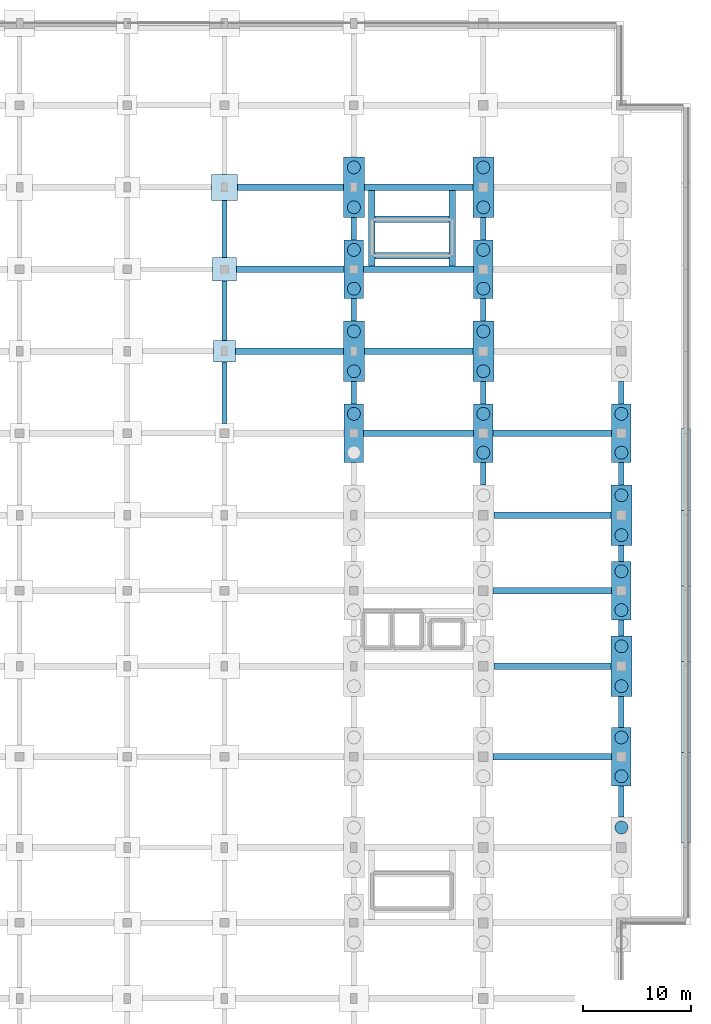
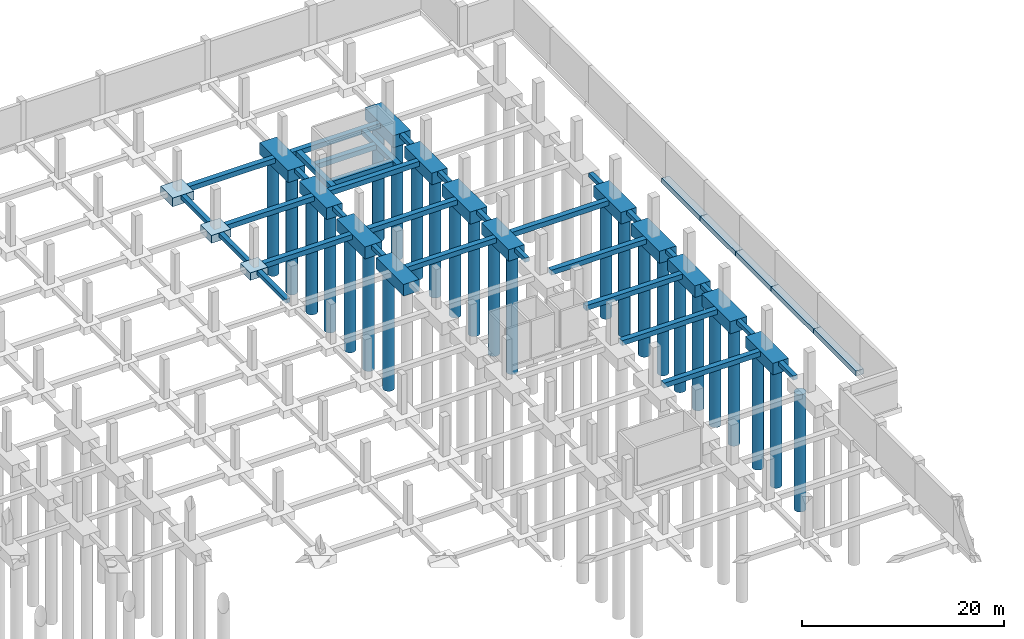
# One storey, part 23 of 50: 53 footings, 26 piles.
"""IFC4 building model written with IfcOpenShell, lengths in metres."""

from ifc_helpers import new_model, si_unit, direction, frame, origin, origin_2d, place, context, subcontext, project, spatial, polyline, rectangle, circle, outline, extrude, material, material_profile, profile_set, type_object, element, save


model = new_model("IFC4")

# Units and contexts
model_context = context("Model", 3, precision=1e-05, world=origin(), true_north=direction((0.0, 1.0)))
body_context = subcontext(model_context, "Body", "Model", "MODEL_VIEW")
ifc_project = project(units=[si_unit("LENGTHUNIT", "METRE"), si_unit("AREAUNIT", "SQUARE_METRE"), si_unit("VOLUMEUNIT", "CUBIC_METRE"), si_unit("PLANEANGLEUNIT", "RADIAN"), si_unit("MASSUNIT", "GRAM", prefix="KILO")], contexts=[model_context])

# Site, building, storey
site_placement = place(None, origin())
site = spatial("IfcSite", under=ifc_project, at=site_placement, CompositionType="ELEMENT")
building_placement = place(site_placement, origin())
building = spatial("IfcBuilding", under=site, at=building_placement, Name="Vekula Escarpment Museum", CompositionType="ELEMENT")
storey_placement = place(building_placement, frame((0.0, 0.0, -4.800048828125)))
storey = spatial("IfcBuildingStorey", under=building, at=storey_placement, Name="B1", CompositionType="ELEMENT", Elevation=-4.800048828125)

# Footings
ifc_material_1 = material(Name="Concrete C35/45", Category="concrete")
footing_type_1 = type_object("IfcFootingType", Name="FB-STRIP-600", PredefinedType="STRIP_FOOTING", material=ifc_material_1)
footing_1_placement = place(storey_placement, frame((0.0, 0.0, -0.599853515625)))
element("IfcFooting", 1, at=footing_1_placement, inside=storey, type_object=footing_type_1, Name="Plinth Wall Strip Footing 0093", PredefinedType="STRIP_FOOTING", context=body_context, shape_type="SweptSolid", body=[
    extrude(outline(polyline([(197.35498046875, 68.419921875), (198.195068359375, 68.419921875), (198.195068359375, 60.02392578125), (197.35498046875, 60.02392578125), (197.35498046875, 68.419921875)])), origin(), (0.0, 0.0, 1.0), 0.599853515625),
])
footing_2_placement = place(storey_placement, frame((0.0, 0.0, -0.599853515625)))
element("IfcFooting", 2, at=footing_2_placement, inside=storey, type_object=footing_type_1, Name="Plinth Wall Strip Footing 0094", PredefinedType="STRIP_FOOTING", context=body_context, shape_type="SweptSolid", body=[
    extrude(outline(polyline([(197.35498046875, 76.820068359375), (198.195068359375, 76.820068359375), (198.195068359375, 68.424072265625), (197.35498046875, 68.424072265625), (197.35498046875, 76.820068359375)])), origin(), (0.0, 0.0, 1.0), 0.599853515625),
])
footing_3_placement = place(storey_placement, frame((0.0, 0.0, -0.599853515625)))
element("IfcFooting", 3, at=footing_3_placement, inside=storey, type_object=footing_type_1, Name="Plinth Wall Strip Footing 0095", PredefinedType="STRIP_FOOTING", context=body_context, shape_type="SweptSolid", body=[
    extrude(outline(polyline([(197.35498046875, 83.820068359375), (198.195068359375, 83.820068359375), (198.195068359375, 76.823974609375), (197.35498046875, 76.823974609375), (197.35498046875, 83.820068359375)])), origin(), (0.0, 0.0, 1.0), 0.599853515625),
])
footing_4_placement = place(storey_placement, frame((0.0, 0.0, -0.599853515625)))
element("IfcFooting", 4, at=footing_4_placement, inside=storey, type_object=footing_type_1, Name="Plinth Wall Strip Footing 0096", PredefinedType="STRIP_FOOTING", context=body_context, shape_type="SweptSolid", body=[
    extrude(outline(polyline([(197.35498046875, 90.820068359375), (198.195068359375, 90.820068359375), (198.195068359375, 83.823974609375), (197.35498046875, 83.823974609375), (197.35498046875, 90.820068359375)])), origin(), (0.0, 0.0, 1.0), 0.599853515625),
])
footing_5_placement = place(storey_placement, frame((0.0, 0.0, -0.599853515625)))
element("IfcFooting", 5, at=footing_5_placement, inside=storey, type_object=footing_type_1, Name="Plinth Wall Strip Footing 0097", PredefinedType="STRIP_FOOTING", context=body_context, shape_type="SweptSolid", body=[
    extrude(outline(polyline([(197.35498046875, 98.419921875), (198.195068359375, 98.419921875), (198.195068359375, 90.823974609375), (197.35498046875, 90.823974609375), (197.35498046875, 98.419921875)])), origin(), (0.0, 0.0, 1.0), 0.599853515625),
])
footing_6_placement = place(storey_placement, frame((0.0, 0.0, -0.599853515625)))
element("IfcFooting", 6, at=footing_6_placement, inside=storey, type_object=footing_type_1, Name="Stair Core Strip Footing ST-05 W", PredefinedType="STRIP_FOOTING", context=body_context, shape_type="SweptSolid", body=[
    extrude(outline(polyline([(168.97509765625, 113.50390625), (168.375, 113.50390625), (168.375, 120.49609375), (168.97509765625, 120.49609375), (168.97509765625, 113.50390625)])), origin(), (0.0, 0.0, 1.0), 0.599853515625),
])
footing_7_placement = place(storey_placement, frame((0.0, 0.0, -0.599853515625)))
element("IfcFooting", 7, at=footing_7_placement, inside=storey, type_object=footing_type_1, Name="Stair Core Strip Footing ST-05 E", PredefinedType="STRIP_FOOTING", context=body_context, shape_type="SweptSolid", body=[
    extrude(outline(polyline([(176.425048828125, 113.50390625), (175.824951171875, 113.50390625), (175.824951171875, 120.49609375), (176.425048828125, 120.49609375), (176.425048828125, 113.50390625)])), origin(), (0.0, 0.0, 1.0), 0.599853515625),
])
footing_8_placement = place(storey_placement, frame((0.0, 0.0, -0.599853515625)))
element("IfcFooting", 8, at=footing_8_placement, inside=storey, type_object=footing_type_1, Name="Stair Core Strip Footing ST-05 S", PredefinedType="STRIP_FOOTING", context=body_context, shape_type="SweptSolid", body=[
    extrude(outline(polyline([(168.97900390625, 114.175048828125), (168.97900390625, 114.77490234375), (175.821044921875, 114.77490234375), (175.821044921875, 114.175048828125), (168.97900390625, 114.175048828125)])), origin(), (0.0, 0.0, 1.0), 0.599853515625),
])
footing_9_placement = place(storey_placement, frame((0.0, 0.0, -0.599853515625)))
element("IfcFooting", 9, at=footing_9_placement, inside=storey, type_object=footing_type_1, Name="Stair Core Strip Footing ST-05 N", PredefinedType="STRIP_FOOTING", context=body_context, shape_type="SweptSolid", body=[
    extrude(outline(polyline([(168.97900390625, 117.52490234375), (168.97900390625, 118.125), (175.821044921875, 118.125), (175.821044921875, 117.52490234375), (168.97900390625, 117.52490234375)])), origin(), (0.0, 0.0, 1.0), 0.599853515625),
])
ifc_material_2 = material(Name="Concrete C35/45", Category="concrete")
ifc_material_profile_1 = material_profile(ifc_material_2, rectangle(XDim=0.5, YDim=0.5, at=origin_2d()), Name="RC 500x500")
ifc_profile_set_1 = profile_set([ifc_material_profile_1], Name="Concrete C35/45")
footing_type_2 = type_object("IfcFootingType", Name="FB-TIE-500x500", PredefinedType="FOOTING_BEAM", material=ifc_profile_set_1)
footing_10_placement = place(storey_placement, frame((155.0, 98.89990234375, -0.25), z_axis=(0.0, 1.0, 0.0), x_axis=(-1.0, 0.0, 0.0)))
element("IfcFooting", 10, at=footing_10_placement, inside=storey, type_object=footing_type_2, Name="Foundation Tie Beam 734", PredefinedType="FOOTING_BEAM", context=body_context, shape_type="SweptSolid", body=[
    extrude(rectangle(XDim=0.5, YDim=0.5, at=origin_2d()), origin(), (0.0, 0.0, 1.0), 5.7001953125),
])
footing_11_placement = place(storey_placement, frame((155.0, 106.60009765625, -0.25), z_axis=(0.0, 1.0, 0.0), x_axis=(-1.0, 0.0, 0.0)))
element("IfcFooting", 11, at=footing_11_placement, inside=storey, type_object=footing_type_2, Name="Foundation Tie Beam 735", PredefinedType="FOOTING_BEAM", context=body_context, shape_type="SweptSolid", body=[
    extrude(rectangle(XDim=0.5, YDim=0.5, at=origin_2d()), origin(), (0.0, 0.0, 1.0), 5.5),
])
footing_12_placement = place(storey_placement, frame((155.0, 114.300048828125, -0.25), z_axis=(0.0, 1.0, 0.0), x_axis=(-1.0, 0.0, 0.0)))
element("IfcFooting", 12, at=footing_12_placement, inside=storey, type_object=footing_type_2, Name="Foundation Tie Beam 736", PredefinedType="FOOTING_BEAM", context=body_context, shape_type="SweptSolid", body=[
    extrude(rectangle(XDim=0.5, YDim=0.5, at=origin_2d()), origin(), (0.0, 0.0, 1.0), 5.300048828125),
])
for number, where, z_axis, x_axis, name in (
    (13, (167.0, 100.699951171875, -0.25), (0.0, 1.0, 0.0), (-1.0, 0.0, 0.0), "Foundation Tie Beam 753"),
    (14, (167.0, 108.39990234375, -0.25), (0.0, 1.0, 0.0), (-1.0, 0.0, 0.0), "Foundation Tie Beam 754"),
    (15, (167.0, 115.89990234375, -0.25), (0.0, 1.0, 0.0), (-1.0, 0.0, 0.0), "Foundation Tie Beam 755"),
    (16, (179.0, 93.199951171875, -0.25), (0.0, 1.0, 0.0), (-1.0, 0.0, 0.0), "Foundation Tie Beam 771"),
    (17, (179.0, 100.699951171875, -0.25), (0.0, 1.0, 0.0), (-1.0, 0.0, 0.0), "Foundation Tie Beam 772"),
    (18, (179.0, 108.39990234375, -0.25), (0.0, 1.0, 0.0), (-1.0, 0.0, 0.0), "Foundation Tie Beam 773"),
    (19, (179.0, 115.89990234375, -0.25), (0.0, 1.0, 0.0), (-1.0, 0.0, 0.0), "Foundation Tie Beam 774"),
):
    element("IfcFooting", number, at=place(storey_placement, frame(where, z_axis=z_axis, x_axis=x_axis)), inside=storey, type_object=footing_type_2, Name=name, PredefinedType="FOOTING_BEAM", context=body_context, shape_type="SweptSolid", body=[
        extrude(rectangle(XDim=0.5, YDim=0.5, at=origin_2d()), origin(), (0.0, 0.0, 1.0), 2.10009765625),
    ])
for number, where, z_axis, x_axis, name in (
    (20, (191.800048828125, 62.39990234375, -0.25), (0.0, 1.0, 0.0), (-1.0, 0.0, 0.0), "Foundation Tie Beam 786"),
    (21, (191.800048828125, 70.699951171875, -0.25), (0.0, 1.0, 0.0), (-1.0, 0.0, 0.0), "Foundation Tie Beam 787"),
):
    element("IfcFooting", number, at=place(storey_placement, frame(where, z_axis=z_axis, x_axis=x_axis)), inside=storey, type_object=footing_type_2, Name=name, PredefinedType="FOOTING_BEAM", context=body_context, shape_type="SweptSolid", body=[
        extrude(rectangle(XDim=0.5, YDim=0.5, at=origin_2d()), origin(), (0.0, 0.0, 1.0), 2.900146484375),
    ])
for number, where, z_axis, x_axis, name in (
    (22, (191.800048828125, 79.199951171875, -0.25), (0.0, 1.0, 0.0), (-1.0, 0.0, 0.0), "Foundation Tie Beam 788"),
    (23, (191.800048828125, 86.10009765625, -0.25), (0.0, 1.0, 0.0), (-1.0, 0.0, 0.0), "Foundation Tie Beam 789"),
):
    element("IfcFooting", number, at=place(storey_placement, frame(where, z_axis=z_axis, x_axis=x_axis)), inside=storey, type_object=footing_type_2, Name=name, PredefinedType="FOOTING_BEAM", context=body_context, shape_type="SweptSolid", body=[
        extrude(rectangle(XDim=0.5, YDim=0.5, at=origin_2d()), origin(), (0.0, 0.0, 1.0), 1.5),
    ])
for number, where, z_axis, x_axis, name in (
    (24, (191.800048828125, 93.199951171875, -0.25), (0.0, 1.0, 0.0), (-1.0, 0.0, 0.0), "Foundation Tie Beam 790"),
    (25, (191.800048828125, 100.699951171875, -0.25), (0.0, 1.0, 0.0), (-1.0, 0.0, 0.0), "Foundation Tie Beam 791"),
):
    element("IfcFooting", number, at=place(storey_placement, frame(where, z_axis=z_axis, x_axis=x_axis)), inside=storey, type_object=footing_type_2, Name=name, PredefinedType="FOOTING_BEAM", context=body_context, shape_type="SweptSolid", body=[
        extrude(rectangle(XDim=0.5, YDim=0.5, at=origin_2d()), origin(), (0.0, 0.0, 1.0), 2.10009765625),
    ])
ifc_material_3 = material(Name="Concrete C35/45", Category="concrete")
ifc_material_profile_2 = material_profile(ifc_material_3, rectangle(XDim=0.60009765625, YDim=0.60009765625, at=origin_2d()), Name="RC 600x600")
ifc_profile_set_2 = profile_set([ifc_material_profile_2], Name="Concrete C35/45")
footing_type_3 = type_object("IfcFootingType", Name="FB-TIE-600x600", PredefinedType="FOOTING_BEAM", material=ifc_profile_set_2)
footing_13_placement = place(storey_placement, frame((179.89990234375, 68.0, -0.300048828125), z_axis=(1.0, 0.0, 0.0), x_axis=(0.0, 1.0, 0.0)))
element("IfcFooting", 26, at=footing_13_placement, inside=storey, type_object=footing_type_3, Name="Foundation Tie Beam 209", PredefinedType="FOOTING_BEAM", context=body_context, shape_type="SweptSolid", body=[
    extrude(rectangle(XDim=0.60009765625, YDim=0.60009765625, at=origin_2d()), origin(), (0.0, 0.0, 1.0), 11.0),
])
footing_14_placement = place(storey_placement, frame((179.97509765625, 76.39990234375, -0.300048828125), z_axis=(1.0, 0.0, 0.0), x_axis=(0.0, 1.0, 0.0)))
element("IfcFooting", 27, at=footing_14_placement, inside=storey, type_object=footing_type_3, Name="Foundation Tie Beam 232", PredefinedType="FOOTING_BEAM", context=body_context, shape_type="SweptSolid", body=[
    extrude(rectangle(XDim=0.60009765625, YDim=0.60009765625, at=origin_2d()), origin(), (0.0, 0.0, 1.0), 10.849853515625),
])
footing_15_placement = place(storey_placement, frame((179.89990234375, 83.39990234375, -0.300048828125), z_axis=(1.0, 0.0, 0.0), x_axis=(0.0, 1.0, 0.0)))
element("IfcFooting", 28, at=footing_15_placement, inside=storey, type_object=footing_type_3, Name="Foundation Tie Beam 255", PredefinedType="FOOTING_BEAM", context=body_context, shape_type="SweptSolid", body=[
    extrude(rectangle(XDim=0.60009765625, YDim=0.60009765625, at=origin_2d()), origin(), (0.0, 0.0, 1.0), 11.0),
])
footing_16_placement = place(storey_placement, frame((179.97509765625, 90.39990234375, -0.300048828125), z_axis=(1.0, 0.0, 0.0), x_axis=(0.0, 1.0, 0.0)))
element("IfcFooting", 29, at=footing_16_placement, inside=storey, type_object=footing_type_3, Name="Foundation Tie Beam 274", PredefinedType="FOOTING_BEAM", context=body_context, shape_type="SweptSolid", body=[
    extrude(rectangle(XDim=0.60009765625, YDim=0.60009765625, at=origin_2d()), origin(), (0.0, 0.0, 1.0), 10.849853515625),
])
footing_17_placement = place(storey_placement, frame((167.89990234375, 98.0, -0.300048828125), z_axis=(1.0, 0.0, 0.0), x_axis=(0.0, 1.0, 0.0)))
element("IfcFooting", 30, at=footing_17_placement, inside=storey, type_object=footing_type_3, Name="Foundation Tie Beam 289", PredefinedType="FOOTING_BEAM", context=body_context, shape_type="SweptSolid", body=[
    extrude(rectangle(XDim=0.60009765625, YDim=0.60009765625, at=origin_2d()), origin(), (0.0, 0.0, 1.0), 10.2001953125),
])
footing_18_placement = place(storey_placement, frame((179.89990234375, 98.0, -0.300048828125), z_axis=(1.0, 0.0, 0.0), x_axis=(0.0, 1.0, 0.0)))
element("IfcFooting", 31, at=footing_18_placement, inside=storey, type_object=footing_type_3, Name="Foundation Tie Beam 290", PredefinedType="FOOTING_BEAM", context=body_context, shape_type="SweptSolid", body=[
    extrude(rectangle(XDim=0.60009765625, YDim=0.60009765625, at=origin_2d()), origin(), (0.0, 0.0, 1.0), 11.0),
])
footing_19_placement = place(storey_placement, frame((156.0, 105.60009765625, -0.300048828125), z_axis=(1.0, 0.0, 0.0), x_axis=(0.0, 1.0, 0.0)))
element("IfcFooting", 32, at=footing_19_placement, inside=storey, type_object=footing_type_3, Name="Foundation Tie Beam 308", PredefinedType="FOOTING_BEAM", context=body_context, shape_type="SweptSolid", body=[
    extrude(rectangle(XDim=0.60009765625, YDim=0.60009765625, at=origin_2d()), origin(), (0.0, 0.0, 1.0), 10.02490234375),
])
footing_20_placement = place(storey_placement, frame((167.97509765625, 105.60009765625, -0.300048828125), z_axis=(1.0, 0.0, 0.0), x_axis=(0.0, 1.0, 0.0)))
element("IfcFooting", 33, at=footing_20_placement, inside=storey, type_object=footing_type_3, Name="Foundation Tie Beam 309", PredefinedType="FOOTING_BEAM", context=body_context, shape_type="SweptSolid", body=[
    extrude(rectangle(XDim=0.60009765625, YDim=0.60009765625, at=origin_2d()), origin(), (0.0, 0.0, 1.0), 10.0498046875),
])
footing_21_placement = place(storey_placement, frame((156.10009765625, 113.199951171875, -0.300048828125), z_axis=(1.0, 0.0, 0.0), x_axis=(0.0, 1.0, 0.0)))
element("IfcFooting", 34, at=footing_21_placement, inside=storey, type_object=footing_type_3, Name="Foundation Tie Beam 331", PredefinedType="FOOTING_BEAM", context=body_context, shape_type="SweptSolid", body=[
    extrude(rectangle(XDim=0.60009765625, YDim=0.60009765625, at=origin_2d()), origin(), (0.0, 0.0, 1.0), 10.0),
])
footing_22_placement = place(storey_placement, frame((167.89990234375, 113.199951171875, -0.300048828125), z_axis=(1.0, 0.0, 0.0), x_axis=(0.0, 1.0, 0.0)))
element("IfcFooting", 35, at=footing_22_placement, inside=storey, type_object=footing_type_3, Name="Foundation Tie Beam 332", PredefinedType="FOOTING_BEAM", context=body_context, shape_type="SweptSolid", body=[
    extrude(rectangle(XDim=0.60009765625, YDim=0.60009765625, at=origin_2d()), origin(), (0.0, 0.0, 1.0), 10.2001953125),
])
footing_23_placement = place(storey_placement, frame((156.199951171875, 120.800048828125, -0.300048828125), z_axis=(1.0, 0.0, 0.0), x_axis=(0.0, 1.0, 0.0)))
element("IfcFooting", 36, at=footing_23_placement, inside=storey, type_object=footing_type_3, Name="Foundation Tie Beam 354", PredefinedType="FOOTING_BEAM", context=body_context, shape_type="SweptSolid", body=[
    extrude(rectangle(XDim=0.60009765625, YDim=0.60009765625, at=origin_2d()), origin(), (0.0, 0.0, 1.0), 9.824951171875),
])
footing_24_placement = place(storey_placement, frame((167.97509765625, 120.800048828125, -0.300048828125), z_axis=(1.0, 0.0, 0.0), x_axis=(0.0, 1.0, 0.0)))
element("IfcFooting", 37, at=footing_24_placement, inside=storey, type_object=footing_type_3, Name="Foundation Tie Beam 355", PredefinedType="FOOTING_BEAM", context=body_context, shape_type="SweptSolid", body=[
    extrude(rectangle(XDim=0.60009765625, YDim=0.60009765625, at=origin_2d()), origin(), (0.0, 0.0, 1.0), 10.0498046875),
])
ifc_material_4 = material(Name="Concrete C35/45", Category="concrete")
footing_type_4 = type_object("IfcFootingType", Name="FC-PAD2", PredefinedType="PAD_FOOTING", material=ifc_material_4)
footing_25_placement = place(storey_placement, frame((0.0, 0.0, -0.89990234375)))
element("IfcFooting", 38, at=footing_25_placement, inside=storey, type_object=footing_type_4, Name="Foundation FC-PAD2 (155.0,105.6)", PredefinedType="PAD_FOOTING", context=body_context, shape_type="SweptSolid", body=[
    extrude(outline(polyline([(154.0, 104.60009765625), (156.0, 104.60009765625), (156.0, 106.60009765625), (154.0, 106.60009765625), (154.0, 104.60009765625)])), origin(), (0.0, 0.0, 1.0), 0.89990234375),
])
ifc_material_5 = material(Name="Concrete C35/45", Category="concrete")
footing_type_5 = type_object("IfcFootingType", Name="FC-PAD3", PredefinedType="PAD_FOOTING", material=ifc_material_5)
footing_26_placement = place(storey_placement, frame((0.0, 0.0, -0.949951171875)))
element("IfcFooting", 39, at=footing_26_placement, inside=storey, type_object=footing_type_5, Name="Foundation FC-PAD3 (155.0,113.2)", PredefinedType="PAD_FOOTING", context=body_context, shape_type="SweptSolid", body=[
    extrude(outline(polyline([(153.89990234375, 112.10009765625), (156.10009765625, 112.10009765625), (156.10009765625, 114.300048828125), (153.89990234375, 114.300048828125), (153.89990234375, 112.10009765625)])), origin(), (0.0, 0.0, 1.0), 0.949951171875),
])
ifc_material_6 = material(Name="Concrete C35/45", Category="concrete")
footing_type_6 = type_object("IfcFootingType", Name="FC-PAD4", PredefinedType="PAD_FOOTING", material=ifc_material_6)
footing_27_placement = place(storey_placement, frame((0.0, 0.0, -1.050048828125)))
element("IfcFooting", 40, at=footing_27_placement, inside=storey, type_object=footing_type_6, Name="Foundation FC-PAD4 (155.0,120.8)", PredefinedType="PAD_FOOTING", context=body_context, shape_type="SweptSolid", body=[
    extrude(outline(polyline([(153.800048828125, 119.60009765625), (156.199951171875, 119.60009765625), (156.199951171875, 122.0), (153.800048828125, 122.0), (153.800048828125, 119.60009765625)])), origin(), (0.0, 0.0, 1.0), 1.050048828125),
])
ifc_material_7 = material(Name="Concrete C35/45", Category="concrete")
footing_type_7 = type_object("IfcFootingType", Name="FC-PC2Y-HA", PredefinedType="PILE_CAP", material=ifc_material_7)
footing_28_placement = place(storey_placement, frame((0.0, 0.0, -1.39990234375)))
element("IfcFooting", 41, at=footing_28_placement, inside=storey, type_object=footing_type_7, Name="Foundation FC-PC2Y-HA (167.0,98.0)", PredefinedType="PILE_CAP", context=body_context, shape_type="SweptSolid", body=[
    extrude(outline(polyline([(166.10009765625, 95.300048828125), (167.89990234375, 95.300048828125), (167.89990234375, 100.699951171875), (166.10009765625, 100.699951171875), (166.10009765625, 95.300048828125)])), origin(), (0.0, 0.0, 1.0), 1.39990234375),
])
footing_29_placement = place(storey_placement, frame((0.0, 0.0, -1.39990234375)))
element("IfcFooting", 42, at=footing_29_placement, inside=storey, type_object=footing_type_7, Name="Foundation FC-PC2Y-HA (167.0,113.2)", PredefinedType="PILE_CAP", context=body_context, shape_type="SweptSolid", body=[
    extrude(outline(polyline([(166.10009765625, 110.5), (167.89990234375, 110.5), (167.89990234375, 115.89990234375), (166.10009765625, 115.89990234375), (166.10009765625, 110.5)])), origin(), (0.0, 0.0, 1.0), 1.39990234375),
])
footing_30_placement = place(storey_placement, frame((0.0, 0.0, -1.39990234375)))
element("IfcFooting", 43, at=footing_30_placement, inside=storey, type_object=footing_type_7, Name="Foundation FC-PC2Y-HA (179.0,98.0)", PredefinedType="PILE_CAP", context=body_context, shape_type="SweptSolid", body=[
    extrude(outline(polyline([(178.10009765625, 95.300048828125), (179.89990234375, 95.300048828125), (179.89990234375, 100.699951171875), (178.10009765625, 100.699951171875), (178.10009765625, 95.300048828125)])), origin(), (0.0, 0.0, 1.0), 1.39990234375),
])
footing_31_placement = place(storey_placement, frame((0.0, 0.0, -1.39990234375)))
element("IfcFooting", 44, at=footing_31_placement, inside=storey, type_object=footing_type_7, Name="Foundation FC-PC2Y-HA (179.0,113.2)", PredefinedType="PILE_CAP", context=body_context, shape_type="SweptSolid", body=[
    extrude(outline(polyline([(178.10009765625, 110.5), (179.89990234375, 110.5), (179.89990234375, 115.89990234375), (178.10009765625, 115.89990234375), (178.10009765625, 110.5)])), origin(), (0.0, 0.0, 1.0), 1.39990234375),
])
footing_32_placement = place(storey_placement, frame((0.0, 0.0, -1.39990234375)))
element("IfcFooting", 45, at=footing_32_placement, inside=storey, type_object=footing_type_7, Name="Foundation FC-PC2Y-HA (191.8,68.0)", PredefinedType="PILE_CAP", context=body_context, shape_type="SweptSolid", body=[
    extrude(outline(polyline([(190.89990234375, 65.300048828125), (192.699951171875, 65.300048828125), (192.699951171875, 70.699951171875), (190.89990234375, 70.699951171875), (190.89990234375, 65.300048828125)])), origin(), (0.0, 0.0, 1.0), 1.39990234375),
])
footing_33_placement = place(storey_placement, frame((0.0, 0.0, -1.39990234375)))
element("IfcFooting", 46, at=footing_33_placement, inside=storey, type_object=footing_type_7, Name="Foundation FC-PC2Y-HA (191.8,83.4)", PredefinedType="PILE_CAP", context=body_context, shape_type="SweptSolid", body=[
    extrude(outline(polyline([(190.89990234375, 80.699951171875), (192.699951171875, 80.699951171875), (192.699951171875, 86.10009765625), (190.89990234375, 86.10009765625), (190.89990234375, 80.699951171875)])), origin(), (0.0, 0.0, 1.0), 1.39990234375),
])
footing_34_placement = place(storey_placement, frame((0.0, 0.0, -1.39990234375)))
element("IfcFooting", 47, at=footing_34_placement, inside=storey, type_object=footing_type_7, Name="Foundation FC-PC2Y-HA (191.8,98.0)", PredefinedType="PILE_CAP", context=body_context, shape_type="SweptSolid", body=[
    extrude(outline(polyline([(190.89990234375, 95.300048828125), (192.699951171875, 95.300048828125), (192.699951171875, 100.699951171875), (190.89990234375, 100.699951171875), (190.89990234375, 95.300048828125)])), origin(), (0.0, 0.0, 1.0), 1.39990234375),
])
ifc_material_8 = material(Name="Concrete C35/45", Category="concrete")
footing_type_8 = type_object("IfcFootingType", Name="FC-PC2Y-HB", PredefinedType="PILE_CAP", material=ifc_material_8)
footing_35_placement = place(storey_placement, frame((0.0, 0.0, -1.449951171875)))
element("IfcFooting", 48, at=footing_35_placement, inside=storey, type_object=footing_type_8, Name="Foundation FC-PC2Y-HB (167.0,105.6)", PredefinedType="PILE_CAP", context=body_context, shape_type="SweptSolid", body=[
    extrude(outline(polyline([(166.02490234375, 102.800048828125), (167.97509765625, 102.800048828125), (167.97509765625, 108.39990234375), (166.02490234375, 108.39990234375), (166.02490234375, 102.800048828125)])), origin(), (0.0, 0.0, 1.0), 1.449951171875),
])
footing_36_placement = place(storey_placement, frame((0.0, 0.0, -1.449951171875)))
element("IfcFooting", 49, at=footing_36_placement, inside=storey, type_object=footing_type_8, Name="Foundation FC-PC2Y-HB (167.0,120.8)", PredefinedType="PILE_CAP", context=body_context, shape_type="SweptSolid", body=[
    extrude(outline(polyline([(166.02490234375, 118.0), (167.97509765625, 118.0), (167.97509765625, 123.60009765625), (166.02490234375, 123.60009765625), (166.02490234375, 118.0)])), origin(), (0.0, 0.0, 1.0), 1.449951171875),
])
footing_37_placement = place(storey_placement, frame((0.0, 0.0, -1.449951171875)))
element("IfcFooting", 50, at=footing_37_placement, inside=storey, type_object=footing_type_8, Name="Foundation FC-PC2Y-HB (179.0,105.6)", PredefinedType="PILE_CAP", context=body_context, shape_type="SweptSolid", body=[
    extrude(outline(polyline([(178.02490234375, 102.800048828125), (179.97509765625, 102.800048828125), (179.97509765625, 108.39990234375), (178.02490234375, 108.39990234375), (178.02490234375, 102.800048828125)])), origin(), (0.0, 0.0, 1.0), 1.449951171875),
])
footing_38_placement = place(storey_placement, frame((0.0, 0.0, -1.449951171875)))
element("IfcFooting", 51, at=footing_38_placement, inside=storey, type_object=footing_type_8, Name="Foundation FC-PC2Y-HB (179.0,120.8)", PredefinedType="PILE_CAP", context=body_context, shape_type="SweptSolid", body=[
    extrude(outline(polyline([(178.02490234375, 118.0), (179.97509765625, 118.0), (179.97509765625, 123.60009765625), (178.02490234375, 123.60009765625), (178.02490234375, 118.0)])), origin(), (0.0, 0.0, 1.0), 1.449951171875),
])
footing_39_placement = place(storey_placement, frame((0.0, 0.0, -1.449951171875)))
element("IfcFooting", 52, at=footing_39_placement, inside=storey, type_object=footing_type_8, Name="Foundation FC-PC2Y-HB (191.8,76.4)", PredefinedType="PILE_CAP", context=body_context, shape_type="SweptSolid", body=[
    extrude(outline(polyline([(190.824951171875, 73.60009765625), (192.77490234375, 73.60009765625), (192.77490234375, 79.199951171875), (190.824951171875, 79.199951171875), (190.824951171875, 73.60009765625)])), origin(), (0.0, 0.0, 1.0), 1.449951171875),
])
footing_40_placement = place(storey_placement, frame((0.0, 0.0, -1.449951171875)))
element("IfcFooting", 53, at=footing_40_placement, inside=storey, type_object=footing_type_8, Name="Foundation FC-PC2Y-HB (191.8,90.4)", PredefinedType="PILE_CAP", context=body_context, shape_type="SweptSolid", body=[
    extrude(outline(polyline([(190.824951171875, 87.60009765625), (192.77490234375, 87.60009765625), (192.77490234375, 93.199951171875), (190.824951171875, 93.199951171875), (190.824951171875, 87.60009765625)])), origin(), (0.0, 0.0, 1.0), 1.449951171875),
])

# Piles
ifc_material_9 = material(Name="Concrete C35/45", Category="concrete")
ifc_material_profile_3 = material_profile(ifc_material_9, circle(Radius=0.60009765625, at=origin_2d()), Name="BORED PILE 1200")
ifc_profile_set_3 = profile_set([ifc_material_profile_3], Name="Concrete C35/45")
pile_type = type_object("IfcPileType", Name="PILE-B1200", PredefinedType="BORED", material=ifc_profile_set_3)
pile_placement = place(storey_placement, frame((167.0, 99.800048828125, -1.300048828125), z_axis=(0.0, 0.0, -1.0), x_axis=(1.0, 0.0, 0.0)))
element("IfcPile", 54, at=pile_placement, inside=storey, type_object=pile_type, Name="Bored Pile (167.0,99.8)", PredefinedType="BORED", context=body_context, shape_type="SweptSolid", body=[
    extrude(circle(Radius=0.60009765625, at=origin_2d()), origin(), (0.0, 0.0, 1.0), 14.199951171875),
])
for number, where, z_axis, x_axis, name in (
    (55, (167.0, 103.75, -1.349853515625), (0.0, 0.0, -1.0), (1.0, 0.0, 0.0), "Bored Pile (167.0,103.8)"),
    (56, (167.0, 107.449951171875, -1.349853515625), (0.0, 0.0, -1.0), (1.0, 0.0, 0.0), "Bored Pile (167.0,107.4)"),
):
    element("IfcPile", number, at=place(storey_placement, frame(where, z_axis=z_axis, x_axis=x_axis)), inside=storey, type_object=pile_type, Name=name, PredefinedType="BORED", context=body_context, shape_type="SweptSolid", body=[
        extrude(circle(Radius=0.60009765625, at=origin_2d()), origin(), (0.0, 0.0, 1.0), 14.14990234375),
    ])
for number, where, z_axis, x_axis, name in (
    (57, (167.0, 111.39990234375, -1.300048828125), (0.0, 0.0, -1.0), (1.0, 0.0, 0.0), "Bored Pile (167.0,111.4)"),
    (58, (167.0, 115.0, -1.300048828125), (0.0, 0.0, -1.0), (1.0, 0.0, 0.0), "Bored Pile (167.0,115.0)"),
):
    element("IfcPile", number, at=place(storey_placement, frame(where, z_axis=z_axis, x_axis=x_axis)), inside=storey, type_object=pile_type, Name=name, PredefinedType="BORED", context=body_context, shape_type="SweptSolid", body=[
        extrude(circle(Radius=0.60009765625, at=origin_2d()), origin(), (0.0, 0.0, 1.0), 14.199951171875),
    ])
for number, where, z_axis, x_axis, name in (
    (59, (167.0, 118.949951171875, -1.349853515625), (0.0, 0.0, -1.0), (1.0, 0.0, 0.0), "Bored Pile (167.0,119.0)"),
    (60, (167.0, 122.64990234375, -1.349853515625), (0.0, 0.0, -1.0), (1.0, 0.0, 0.0), "Bored Pile (167.0,122.6)"),
):
    element("IfcPile", number, at=place(storey_placement, frame(where, z_axis=z_axis, x_axis=x_axis)), inside=storey, type_object=pile_type, Name=name, PredefinedType="BORED", context=body_context, shape_type="SweptSolid", body=[
        extrude(circle(Radius=0.60009765625, at=origin_2d()), origin(), (0.0, 0.0, 1.0), 14.14990234375),
    ])
for number, where, z_axis, x_axis, name in (
    (61, (179.0, 96.199951171875, -1.300048828125), (0.0, 0.0, -1.0), (1.0, 0.0, 0.0), "Bored Pile (179.0,96.2)"),
    (62, (179.0, 99.800048828125, -1.300048828125), (0.0, 0.0, -1.0), (1.0, 0.0, 0.0), "Bored Pile (179.0,99.8)"),
):
    element("IfcPile", number, at=place(storey_placement, frame(where, z_axis=z_axis, x_axis=x_axis)), inside=storey, type_object=pile_type, Name=name, PredefinedType="BORED", context=body_context, shape_type="SweptSolid", body=[
        extrude(circle(Radius=0.60009765625, at=origin_2d()), origin(), (0.0, 0.0, 1.0), 14.199951171875),
    ])
for number, where, z_axis, x_axis, name in (
    (63, (179.0, 103.75, -1.349853515625), (0.0, 0.0, -1.0), (1.0, 0.0, 0.0), "Bored Pile (179.0,103.8)"),
    (64, (179.0, 107.449951171875, -1.349853515625), (0.0, 0.0, -1.0), (1.0, 0.0, 0.0), "Bored Pile (179.0,107.4)"),
):
    element("IfcPile", number, at=place(storey_placement, frame(where, z_axis=z_axis, x_axis=x_axis)), inside=storey, type_object=pile_type, Name=name, PredefinedType="BORED", context=body_context, shape_type="SweptSolid", body=[
        extrude(circle(Radius=0.60009765625, at=origin_2d()), origin(), (0.0, 0.0, 1.0), 14.14990234375),
    ])
for number, where, z_axis, x_axis, name in (
    (65, (179.0, 111.39990234375, -1.300048828125), (0.0, 0.0, -1.0), (1.0, 0.0, 0.0), "Bored Pile (179.0,111.4)"),
    (66, (179.0, 115.0, -1.300048828125), (0.0, 0.0, -1.0), (1.0, 0.0, 0.0), "Bored Pile (179.0,115.0)"),
):
    element("IfcPile", number, at=place(storey_placement, frame(where, z_axis=z_axis, x_axis=x_axis)), inside=storey, type_object=pile_type, Name=name, PredefinedType="BORED", context=body_context, shape_type="SweptSolid", body=[
        extrude(circle(Radius=0.60009765625, at=origin_2d()), origin(), (0.0, 0.0, 1.0), 14.199951171875),
    ])
for number, where, z_axis, x_axis, name in (
    (67, (179.0, 118.949951171875, -1.349853515625), (0.0, 0.0, -1.0), (1.0, 0.0, 0.0), "Bored Pile (179.0,119.0)"),
    (68, (179.0, 122.64990234375, -1.349853515625), (0.0, 0.0, -1.0), (1.0, 0.0, 0.0), "Bored Pile (179.0,122.6)"),
    (69, (191.800048828125, 61.449951171875, -1.349853515625), (0.0, 0.0, -1.0), (1.0, 0.0, 0.0), "Bored Pile (191.8,61.5)"),
):
    element("IfcPile", number, at=place(storey_placement, frame(where, z_axis=z_axis, x_axis=x_axis)), inside=storey, type_object=pile_type, Name=name, PredefinedType="BORED", context=body_context, shape_type="SweptSolid", body=[
        extrude(circle(Radius=0.60009765625, at=origin_2d()), origin(), (0.0, 0.0, 1.0), 14.14990234375),
    ])
for number, where, z_axis, x_axis, name in (
    (70, (191.800048828125, 66.199951171875, -1.300048828125), (0.0, 0.0, -1.0), (1.0, 0.0, 0.0), "Bored Pile (191.8,66.2)"),
    (71, (191.800048828125, 69.800048828125, -1.300048828125), (0.0, 0.0, -1.0), (1.0, 0.0, 0.0), "Bored Pile (191.8,69.8)"),
):
    element("IfcPile", number, at=place(storey_placement, frame(where, z_axis=z_axis, x_axis=x_axis)), inside=storey, type_object=pile_type, Name=name, PredefinedType="BORED", context=body_context, shape_type="SweptSolid", body=[
        extrude(circle(Radius=0.60009765625, at=origin_2d()), origin(), (0.0, 0.0, 1.0), 14.199951171875),
    ])
for number, where, z_axis, x_axis, name in (
    (72, (191.800048828125, 74.550048828125, -1.349853515625), (0.0, 0.0, -1.0), (1.0, 0.0, 0.0), "Bored Pile (191.8,74.6)"),
    (73, (191.800048828125, 78.25, -1.349853515625), (0.0, 0.0, -1.0), (1.0, 0.0, 0.0), "Bored Pile (191.8,78.2)"),
):
    element("IfcPile", number, at=place(storey_placement, frame(where, z_axis=z_axis, x_axis=x_axis)), inside=storey, type_object=pile_type, Name=name, PredefinedType="BORED", context=body_context, shape_type="SweptSolid", body=[
        extrude(circle(Radius=0.60009765625, at=origin_2d()), origin(), (0.0, 0.0, 1.0), 14.14990234375),
    ])
for number, where, z_axis, x_axis, name in (
    (74, (191.800048828125, 81.60009765625, -1.300048828125), (0.0, 0.0, -1.0), (1.0, 0.0, 0.0), "Bored Pile (191.8,81.6)"),
    (75, (191.800048828125, 85.199951171875, -1.300048828125), (0.0, 0.0, -1.0), (1.0, 0.0, 0.0), "Bored Pile (191.8,85.2)"),
):
    element("IfcPile", number, at=place(storey_placement, frame(where, z_axis=z_axis, x_axis=x_axis)), inside=storey, type_object=pile_type, Name=name, PredefinedType="BORED", context=body_context, shape_type="SweptSolid", body=[
        extrude(circle(Radius=0.60009765625, at=origin_2d()), origin(), (0.0, 0.0, 1.0), 14.199951171875),
    ])
for number, where, z_axis, x_axis, name in (
    (76, (191.800048828125, 88.550048828125, -1.349853515625), (0.0, 0.0, -1.0), (1.0, 0.0, 0.0), "Bored Pile (191.8,88.6)"),
    (77, (191.800048828125, 92.25, -1.349853515625), (0.0, 0.0, -1.0), (1.0, 0.0, 0.0), "Bored Pile (191.8,92.2)"),
):
    element("IfcPile", number, at=place(storey_placement, frame(where, z_axis=z_axis, x_axis=x_axis)), inside=storey, type_object=pile_type, Name=name, PredefinedType="BORED", context=body_context, shape_type="SweptSolid", body=[
        extrude(circle(Radius=0.60009765625, at=origin_2d()), origin(), (0.0, 0.0, 1.0), 14.14990234375),
    ])
for number, where, z_axis, x_axis, name in (
    (78, (191.800048828125, 96.199951171875, -1.300048828125), (0.0, 0.0, -1.0), (1.0, 0.0, 0.0), "Bored Pile (191.8,96.2)"),
    (79, (191.800048828125, 99.800048828125, -1.300048828125), (0.0, 0.0, -1.0), (1.0, 0.0, 0.0), "Bored Pile (191.8,99.8)"),
):
    element("IfcPile", number, at=place(storey_placement, frame(where, z_axis=z_axis, x_axis=x_axis)), inside=storey, type_object=pile_type, Name=name, PredefinedType="BORED", context=body_context, shape_type="SweptSolid", body=[
        extrude(circle(Radius=0.60009765625, at=origin_2d()), origin(), (0.0, 0.0, 1.0), 14.199951171875),
    ])

save(model, "model.ifc")
